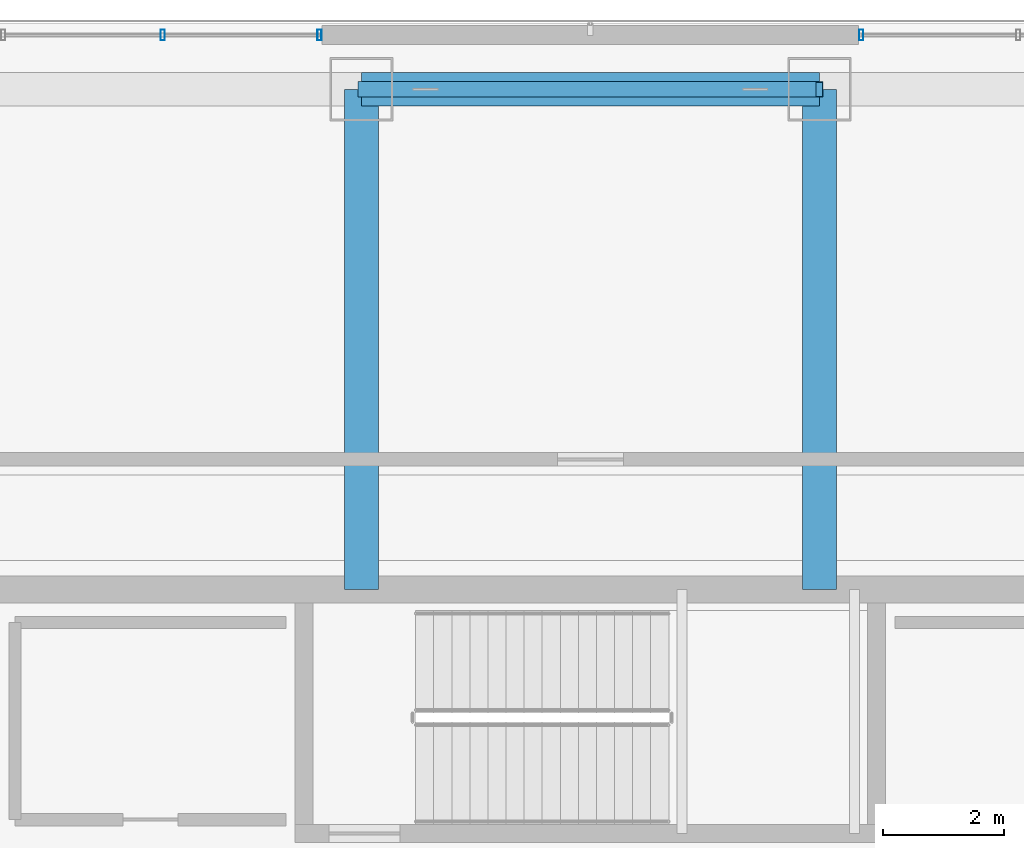
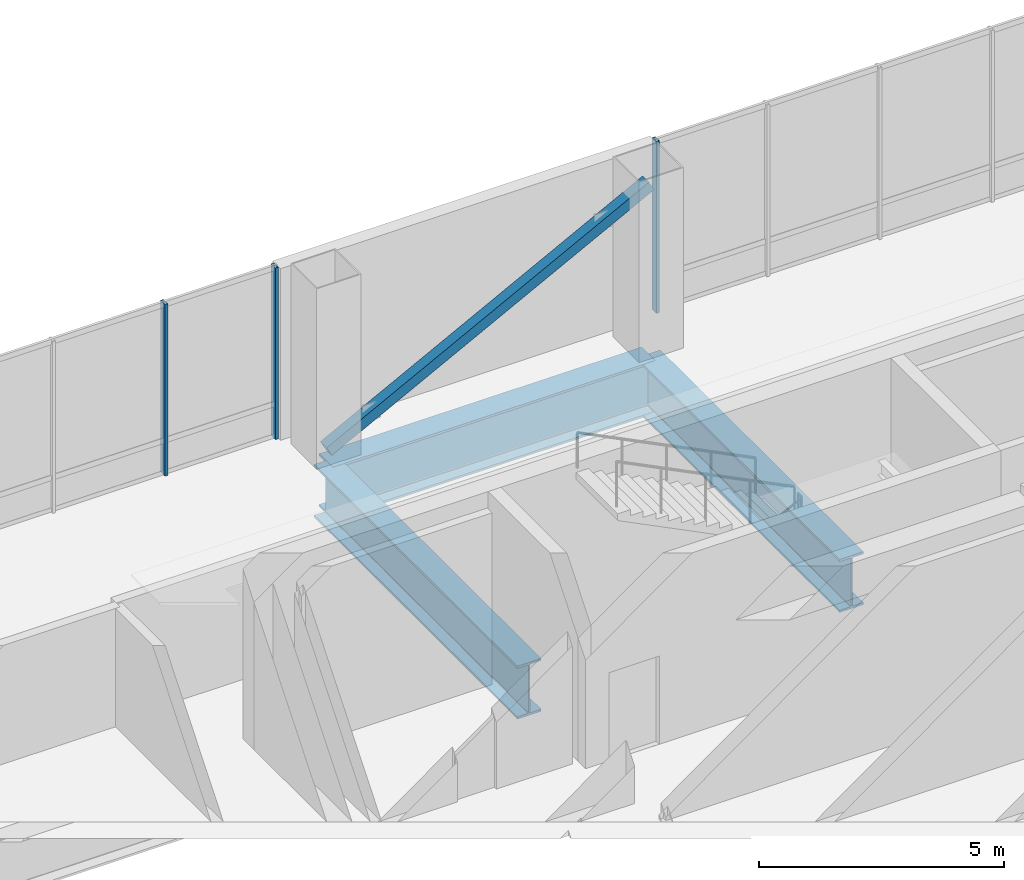
# One storey, part 21 of 33: 4 members, 3 beams, 2 elements without a shape of their own.
"""IFC4 building model written with IfcOpenShell, lengths in metres."""

from ifc_helpers import new_model, si_unit, direction, frame, origin, origin_2d, place, context, subcontext, project, spatial, hollow_rectangle, i_section, extrude, material, material_profile, profile_set, type_object, element, aggregate, save


model = new_model("IFC4")

# Units and contexts
model_context = context("Model", 3, precision=1e-05, world=origin(), true_north=direction((0.0, 1.0)))
body_context = subcontext(model_context, "Body", "Model", "MODEL_VIEW")
ifc_project = project(units=[si_unit("LENGTHUNIT", "METRE"), si_unit("AREAUNIT", "SQUARE_METRE"), si_unit("VOLUMEUNIT", "CUBIC_METRE"), si_unit("PLANEANGLEUNIT", "RADIAN"), si_unit("MASSUNIT", "GRAM", prefix="KILO")], contexts=[model_context])

# Site, building, storey
site_placement = place(None, origin())
site = spatial("IfcSite", under=ifc_project, at=site_placement, CompositionType="ELEMENT")
building_placement = place(site_placement, origin())
building = spatial("IfcBuilding", under=site, at=building_placement, Name="Punatoya Terracotta Tower", CompositionType="ELEMENT")
storey_placement = place(building_placement, frame((0.0, 0.0, 343.800048828125)))
storey = spatial("IfcBuildingStorey", under=building, at=storey_placement, Name="L81", CompositionType="ELEMENT", Elevation=343.800048828125)

# Beams
ifc_material_1 = material(Name="Steel S460", Category="steel")
ifc_material_profile_1 = material_profile(ifc_material_1, i_section(OverallWidth=0.56005859375, OverallDepth=1.320068359375, WebThickness=0.035888671875, FlangeThickness=0.054931640625, FilletRadius=0.01806640625, at=origin_2d()))
ifc_profile_set_1 = profile_set([ifc_material_profile_1], Name="Steel S460")
beam_type = type_object("IfcBeamType", Name="BM-TG-BLK", PredefinedType="BEAM", material=ifc_profile_set_1)
beam_placement = place(storey_placement, frame((-3.800048828125, 17.5, -0.93994140625), z_axis=(1.0, 0.0, 0.0), x_axis=(0.0, 1.0, 0.0)))
element("IfcBeam", 1, at=beam_placement, inside=storey, type_object=beam_type, Name="BM-L81-RG-N2", PredefinedType="BEAM", context=body_context, shape_type="SweptSolid", body=[
    extrude(i_section(OverallWidth=0.56005859375, OverallDepth=1.320068359375, WebThickness=0.035888671875, FlangeThickness=0.054931640625, FilletRadius=0.01806640625, at=origin_2d()), origin(), (0.0, 0.0, 1.0), 7.60009765625),
])
for number, where, z_axis, x_axis, name in (
    (2, (-3.800048828125, 9.199951171875, -0.93994140625), (0.0, 1.0, 0.0), (-1.0, 0.0, 0.0), "BM-L81-PR-N2"),
    (3, (3.800048828125, 9.199951171875, -0.93994140625), (0.0, 1.0, 0.0), (-1.0, 0.0, 0.0), "BM-L81-PR-N3"),
):
    element("IfcBeam", number, at=place(storey_placement, frame(where, z_axis=z_axis, x_axis=x_axis)), inside=storey, type_object=beam_type, Name=name, PredefinedType="BEAM", context=body_context, shape_type="SweptSolid", body=[
        extrude(i_section(OverallWidth=0.56005859375, OverallDepth=1.320068359375, WebThickness=0.035888671875, FlangeThickness=0.054931640625, FilletRadius=0.01806640625, at=origin_2d()), origin(), (0.0, 0.0, 1.0), 8.300048828125),
    ])

# Curtain wall, member
ifc_material_2 = material(Name="Aluminium 6063-T6 + Double Low-E Glass", Category="aluminium")
curtain_wall_type = type_object("IfcCurtainWallType", Name="CW-CRN", PredefinedType="NOTDEFINED", material=ifc_material_2)
curtain_wall_1_placement = place(storey_placement, origin())
curtain_wall_1 = element("IfcCurtainWall", 4, at=curtain_wall_1_placement, inside=storey, type_object=curtain_wall_type, Name="L81 Curtain Wall CW-L81-N09-1", PredefinedType="NOTDEFINED")
ifc_material_3 = material(Name="Aluminium 6063-T6", Category="aluminium")
ifc_material_profile_2 = material_profile(ifc_material_3, hollow_rectangle(XDim=0.070068359375, YDim=0.179931640625, WallThickness=0.00390625, at=origin_2d()))
ifc_profile_set_2 = profile_set([ifc_material_profile_2], Name="Aluminium 6063-T6")
member_type_1 = type_object("IfcMemberType", Name="CW-MUL-M3", PredefinedType="MULLION", material=ifc_profile_set_2)
member_1_placement = place(storey_placement, frame((4.4951171875, 18.39990234375, 0.0), z_axis=(0.0, 0.0, 1.0), x_axis=(1.0, 0.0, 0.0)))
member_1 = element("IfcMember", 5, at=member_1_placement, type_object=member_type_1, Name="CW-L81-N09-1 Mullion 05", PredefinedType="MULLION", context=body_context, shape_type="SweptSolid", body=[
    extrude(hollow_rectangle(XDim=0.070068359375, YDim=0.179931640625, WallThickness=0.00390625, at=origin_2d()), origin(), (0.0, 0.0, 1.0), 4.280029296875),
])
aggregate(curtain_wall_1, [member_1])

# Curtain wall, members
curtain_wall_2_placement = place(storey_placement, origin())
curtain_wall_2 = element("IfcCurtainWall", 6, at=curtain_wall_2_placement, inside=storey, type_object=curtain_wall_type, Name="L81 Curtain Wall CW-L81-N09-2", PredefinedType="NOTDEFINED")
member_2_placement = place(storey_placement, frame((-4.4951171875, 18.39990234375, 0.0), z_axis=(0.0, 0.0, 1.0), x_axis=(1.0, 0.0, 0.0)))
member_2 = element("IfcMember", 7, at=member_2_placement, type_object=member_type_1, Name="CW-L81-N09-2 Mullion 00", PredefinedType="MULLION", context=body_context, shape_type="SweptSolid", body=[
    extrude(hollow_rectangle(XDim=0.070068359375, YDim=0.179931640625, WallThickness=0.00390625, at=origin_2d()), origin(), (0.0, 0.0, 1.0), 4.280029296875),
])
member_3_placement = place(storey_placement, frame((-7.097412109375, 18.39990234375, 0.0), z_axis=(0.0, 0.0, 1.0), x_axis=(1.0, 0.0, 0.0)))
member_3 = element("IfcMember", 8, at=member_3_placement, type_object=member_type_1, Name="CW-L81-N09-2 Mullion 01", PredefinedType="MULLION", context=body_context, shape_type="SweptSolid", body=[
    extrude(hollow_rectangle(XDim=0.070068359375, YDim=0.179931640625, WallThickness=0.00390625, at=origin_2d()), origin(), (0.0, 0.0, 1.0), 4.280029296875),
])
aggregate(curtain_wall_2, [member_2, member_3])

# Member
ifc_material_4 = material(Name="Steel S355", Category="steel")
ifc_material_profile_3 = material_profile(ifc_material_4, hollow_rectangle(XDim=0.260009765625, YDim=0.260009765625, WallThickness=0.013916015625, at=origin_2d()))
ifc_profile_set_3 = profile_set([ifc_material_profile_3], Name="Steel S355")
member_type_2 = type_object("IfcMemberType", Name="MEM-CRN-260", PredefinedType="BRACE", material=ifc_profile_set_3)
member_4_placement = place(storey_placement, frame((-3.800048828125, 17.5, 0.02001953125), z_axis=(0.886838693797, 0.0, 0.462079139524), x_axis=(0.0, 1.0, 0.0)))
element("IfcMember", 9, at=member_4_placement, inside=storey, type_object=member_type_2, Name="L81 Crown Frame Wind Brace N", PredefinedType="BRACE", context=body_context, shape_type="SweptSolid", body=[
    extrude(hollow_rectangle(XDim=0.260009765625, YDim=0.260009765625, WallThickness=0.013916015625, at=origin_2d()), origin(), (0.0, 0.0, 1.0), 8.56982421875),
])

save(model, "model.ifc")
